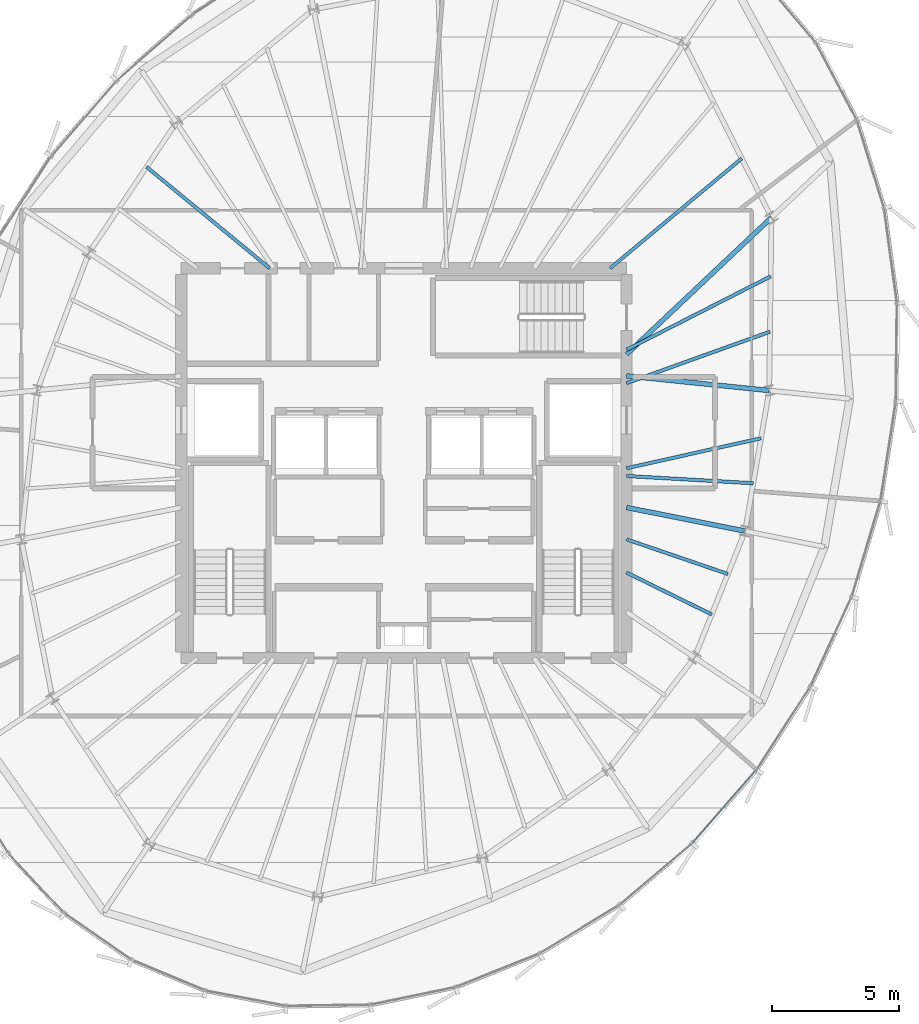
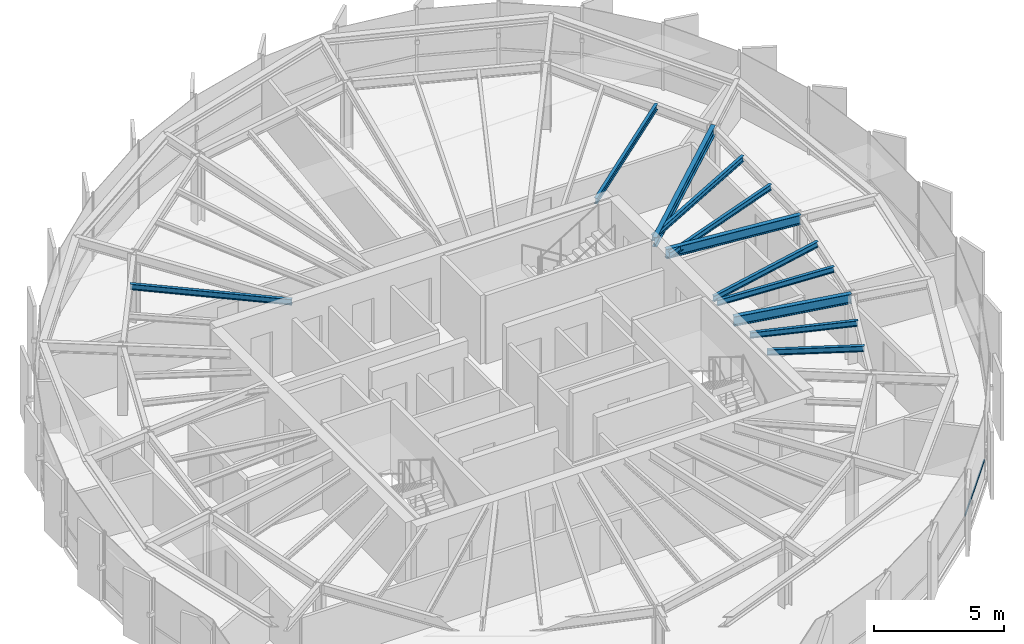
# One storey, part 14 of 32: 11 beams, 1 member, 1 element without a shape of its own.
"""IFC4 building model written with IfcOpenShell, lengths in metres."""

from ifc_helpers import new_model, si_unit, direction, frame, origin, origin_2d, place, context, subcontext, project, spatial, hollow_rectangle, i_section, extrude, source, transform, mapped, material, layer, layer_set, material_profile, profile_set, type_object, element, aggregate, save


model = new_model("IFC4")

# Units and contexts
model_context = context("Model", 3, precision=1e-05, world=origin(), true_north=direction((0.0, 1.0)))
body_context = subcontext(model_context, "Body", "Model", "MODEL_VIEW")
ifc_project = project(units=[si_unit("LENGTHUNIT", "METRE"), si_unit("AREAUNIT", "SQUARE_METRE"), si_unit("VOLUMEUNIT", "CUBIC_METRE"), si_unit("PLANEANGLEUNIT", "RADIAN"), si_unit("MASSUNIT", "GRAM", prefix="KILO"), si_unit("THERMODYNAMICTEMPERATUREUNIT", "KELVIN")], contexts=[model_context])

# Site, building, storey
site_placement = place(None, origin())
site = spatial("IfcSite", under=ifc_project, at=site_placement, CompositionType="ELEMENT")
building_placement = place(site_placement, origin())
building = spatial("IfcBuilding", under=site, at=building_placement, Name="Kethvar Cultural Tower", CompositionType="ELEMENT")
storey_placement = place(building_placement, frame((0.0, 0.0, 280.14990234375)))
storey = spatial("IfcBuildingStorey", under=building, at=storey_placement, Name="L74", CompositionType="ELEMENT", Elevation=280.14990234375)

# Beams
ifc_material_1 = material(Name="Steel S355J2", Category="steel")
ifc_material_profile_1 = material_profile(ifc_material_1, i_section(OverallWidth=0.18994140625, OverallDepth=0.449951171875, WebThickness=0.009521484375, FlangeThickness=0.0146484375, FilletRadius=0.02099609375, at=origin_2d()), Name="Steel S355J2 — IPE450")
ifc_profile_set_1 = profile_set([ifc_material_profile_1], Name="Steel S355J2 — IPE450")
beam_type_1 = type_object("IfcBeamType", Name="BM-IPE450", PredefinedType="BEAM", material=ifc_profile_set_1)
shared_shape_1 = source(origin(), body_context, "Body", "SweptSolid", [
    extrude(i_section(OverallWidth=0.18994140625, OverallDepth=0.449951171875, WebThickness=0.009521484375, FlangeThickness=0.0146484375, FilletRadius=0.02099609375, at=origin_2d()), origin(), (0.0, 0.0, 1.0), 5.66650390625),
])
beam_1_placement = place(storey_placement, frame((55.60009765625, 31.25, 2.983154296875), z_axis=(0.994777513459, -0.102067128476, 0.0), x_axis=(0.102067128476, 0.994777513459, 0.0)))
element("IfcBeam", 1, at=beam_1_placement, inside=storey, type_object=beam_type_1, Name="L74 Primary Radial Beam RB-01", PredefinedType="BEAM", context=body_context, shape_type="MappedRepresentation", body=[
    mapped(shared_shape_1, transform((0.0, 0.0, 0.0), scale=1.0)),
])
shared_shape_2 = source(origin(), body_context, "Body", "SweptSolid", [
    extrude(i_section(OverallWidth=0.18994140625, OverallDepth=0.449951171875, WebThickness=0.009521484375, FlangeThickness=0.0146484375, FilletRadius=0.02099609375, at=origin_2d()), origin(), (0.0, 0.0, 1.0), 7.874267578125),
])
beam_2_placement = place(storey_placement, frame((55.60009765625, 32.10009765625, 2.983154296875), z_axis=(0.727123202456, 0.686506990823, 0.0), x_axis=(-0.686506990823, 0.727123202456, 0.0)))
element("IfcBeam", 2, at=beam_2_placement, inside=storey, type_object=beam_type_1, Name="L74 Primary Radial Beam RB-02", PredefinedType="BEAM", context=body_context, shape_type="MappedRepresentation", body=[
    mapped(shared_shape_2, transform((0.0, 0.0, 0.0), scale=1.0)),
])
shared_shape_3 = source(origin(), body_context, "Body", "SweptSolid", [
    extrude(i_section(OverallWidth=0.18994140625, OverallDepth=0.449951171875, WebThickness=0.009521484375, FlangeThickness=0.0146484375, FilletRadius=0.02099609375, at=origin_2d()), origin(), (0.0, 0.0, 1.0), 4.775390625),
])
beam_3_placement = place(storey_placement, frame((55.60009765625, 26.049560546875, 2.983154296875), z_axis=(0.980784643133, -0.195093525761, 0.0), x_axis=(0.195093525761, 0.980784643133, 0.0)))
element("IfcBeam", 3, at=beam_3_placement, inside=storey, type_object=beam_type_1, Name="L74 Primary Radial Beam RB-16", PredefinedType="BEAM", context=body_context, shape_type="MappedRepresentation", body=[
    mapped(shared_shape_3, transform((0.0, 0.0, 0.0), scale=1.0)),
])
ifc_material_profile_2 = material_profile(ifc_material_1, i_section(OverallWidth=0.135009765625, OverallDepth=0.27001953125, WebThickness=0.006591796875, FlangeThickness=0.01025390625, FilletRadius=0.014892578125, at=origin_2d()), Name="Steel S355J2 — IPE270")
ifc_profile_set_2 = profile_set([ifc_material_profile_2], Name="Steel S355J2 — IPE270")
beam_type_2 = type_object("IfcBeamType", Name="BM-J270", PredefinedType="JOIST", material=ifc_profile_set_2)
shared_shape_4 = source(origin(), body_context, "Body", "SweptSolid", [
    extrude(i_section(OverallWidth=0.135009765625, OverallDepth=0.27001953125, WebThickness=0.006591796875, FlangeThickness=0.01025390625, FilletRadius=0.014892578125, at=origin_2d()), origin(), (0.0, 0.0, 1.0), 6.021240234375),
])
beam_4_placement = place(storey_placement, frame((55.60009765625, 30.960205078125, 3.072998046875), z_axis=(0.94114970072, 0.337990001086, 0.0), x_axis=(-0.337990001086, 0.94114970072, 0.0)))
element("IfcBeam", 4, at=beam_4_placement, inside=storey, type_object=beam_type_2, Name="L74 Composite Floor Joist J-01A", PredefinedType="JOIST", context=body_context, shape_type="MappedRepresentation", body=[
    mapped(shared_shape_4, transform((0.0, 0.0, 0.0), scale=1.0)),
])
shared_shape_5 = source(origin(), body_context, "Body", "SweptSolid", [
    extrude(i_section(OverallWidth=0.135009765625, OverallDepth=0.27001953125, WebThickness=0.006591796875, FlangeThickness=0.01025390625, FilletRadius=0.014892578125, at=origin_2d()), origin(), (0.0, 0.0, 1.0), 6.3916015625),
])
beam_5_placement = place(storey_placement, frame((55.60009765625, 32.281494140625, 3.072998046875), z_axis=(0.891094874615, 0.453817060538, 0.0), x_axis=(-0.453817060538, 0.891094874615, 0.0)))
element("IfcBeam", 5, at=beam_5_placement, inside=storey, type_object=beam_type_2, Name="L74 Composite Floor Joist J-01B", PredefinedType="JOIST", context=body_context, shape_type="MappedRepresentation", body=[
    mapped(shared_shape_5, transform((0.0, 0.0, 0.0), scale=1.0)),
])
shared_shape_6 = source(origin(), body_context, "Body", "SweptSolid", [
    extrude(i_section(OverallWidth=0.135009765625, OverallDepth=0.27001953125, WebThickness=0.006591796875, FlangeThickness=0.01025390625, FilletRadius=0.014892578125, at=origin_2d()), origin(), (0.0, 0.0, 1.0), 6.776123046875),
])
beam_6_placement = place(storey_placement, frame((54.949951171875, 35.5, 3.072998046875), z_axis=(0.767801747857, 0.6406875026, 0.0), x_axis=(-0.6406875026, 0.767801747857, 0.0)))
element("IfcBeam", 6, at=beam_6_placement, inside=storey, type_object=beam_type_2, Name="L74 Composite Floor Joist J-02A", PredefinedType="JOIST", context=body_context, shape_type="MappedRepresentation", body=[
    mapped(shared_shape_6, transform((0.0, 0.0, 0.0), scale=1.0)),
])
shared_shape_7 = source(origin(), body_context, "Body", "SweptSolid", [
    extrude(i_section(OverallWidth=0.135009765625, OverallDepth=0.27001953125, WebThickness=0.006591796875, FlangeThickness=0.01025390625, FilletRadius=0.014892578125, at=origin_2d()), origin(), (0.0, 0.0, 1.0), 6.302978515625),
])
beam_7_placement = place(storey_placement, frame((41.5, 35.5, 3.072998046875), z_axis=(-0.771828477148, 0.635830796567, 0.0), x_axis=(-0.635830796567, -0.771828477148, 0.0)))
element("IfcBeam", 7, at=beam_7_placement, inside=storey, type_object=beam_type_2, Name="L74 Composite Floor Joist J-06A", PredefinedType="JOIST", context=body_context, shape_type="MappedRepresentation", body=[
    mapped(shared_shape_7, transform((0.0, 0.0, 0.0), scale=1.0)),
])
shared_shape_8 = source(origin(), body_context, "Body", "SweptSolid", [
    extrude(i_section(OverallWidth=0.135009765625, OverallDepth=0.27001953125, WebThickness=0.006591796875, FlangeThickness=0.01025390625, FilletRadius=0.014892578125, at=origin_2d()), origin(), (0.0, 0.0, 1.0), 3.75),
])
beam_8_placement = place(storey_placement, frame((55.60009765625, 23.476318359375, 3.072998046875), z_axis=(0.8975046019, -0.441005090184, 0.0), x_axis=(0.441005090184, 0.8975046019, 0.0)))
element("IfcBeam", 8, at=beam_8_placement, inside=storey, type_object=beam_type_2, Name="L74 Composite Floor Joist J-15A", PredefinedType="JOIST", context=body_context, shape_type="MappedRepresentation", body=[
    mapped(shared_shape_8, transform((0.0, 0.0, 0.0), scale=1.0)),
])
shared_shape_9 = source(origin(), body_context, "Body", "SweptSolid", [
    extrude(i_section(OverallWidth=0.135009765625, OverallDepth=0.27001953125, WebThickness=0.006591796875, FlangeThickness=0.01025390625, FilletRadius=0.014892578125, at=origin_2d()), origin(), (0.0, 0.0, 1.0), 4.232421875),
])
beam_9_placement = place(storey_placement, frame((55.60009765625, 24.7900390625, 3.072998046875), z_axis=(0.946173747357, -0.323659141402, 0.0), x_axis=(0.323659141402, 0.946173747357, 0.0)))
element("IfcBeam", 9, at=beam_9_placement, inside=storey, type_object=beam_type_2, Name="L74 Composite Floor Joist J-15B", PredefinedType="JOIST", context=body_context, shape_type="MappedRepresentation", body=[
    mapped(shared_shape_9, transform((0.0, 0.0, 0.0), scale=1.0)),
])
shared_shape_10 = source(origin(), body_context, "Body", "SweptSolid", [
    extrude(i_section(OverallWidth=0.135009765625, OverallDepth=0.27001953125, WebThickness=0.006591796875, FlangeThickness=0.01025390625, FilletRadius=0.014892578125, at=origin_2d()), origin(), (0.0, 0.0, 1.0), 5.01611328125),
])
beam_10_placement = place(storey_placement, frame((55.60009765625, 27.294189453125, 3.072998046875), z_axis=(0.998352190078, -0.057383835418, 0.0), x_axis=(0.057383835418, 0.998352190078, 0.0)))
element("IfcBeam", 10, at=beam_10_placement, inside=storey, type_object=beam_type_2, Name="L74 Composite Floor Joist J-16A", PredefinedType="JOIST", context=body_context, shape_type="MappedRepresentation", body=[
    mapped(shared_shape_10, transform((0.0, 0.0, 0.0), scale=1.0)),
])
shared_shape_11 = source(origin(), body_context, "Body", "SweptSolid", [
    extrude(i_section(OverallWidth=0.135009765625, OverallDepth=0.27001953125, WebThickness=0.006591796875, FlangeThickness=0.01025390625, FilletRadius=0.014892578125, at=origin_2d()), origin(), (0.0, 0.0, 1.0), 5.44287109375),
])
beam_11_placement = place(storey_placement, frame((55.60009765625, 27.60009765625, 3.072998046875), z_axis=(0.976080346759, 0.217410111702, 0.0), x_axis=(-0.217410111702, 0.976080346759, 0.0)))
element("IfcBeam", 11, at=beam_11_placement, inside=storey, type_object=beam_type_2, Name="L74 Composite Floor Joist J-16B", PredefinedType="JOIST", context=body_context, shape_type="MappedRepresentation", body=[
    mapped(shared_shape_11, transform((0.0, 0.0, 0.0), scale=1.0)),
])

# Curtain wall, member
ifc_material_2 = material(Name="Aluminium 6063-T6", Category="aluminium")
ifc_layer = layer(ifc_material_2, 0.179931640625, Name="Aluminium 6063-T6", Category="aluminium")
ifc_layer_set = layer_set([ifc_layer], Name="Aluminium 6063-T6 (180 mm)")
curtain_wall_type = type_object("IfcCurtainWallType", Name="CW-SYS-05-Z56", PredefinedType="NOTDEFINED", material=ifc_layer_set)
curtain_wall_placement = place(storey_placement, origin())
curtain_wall = element("IfcCurtainWall", 12, at=curtain_wall_placement, inside=storey, type_object=curtain_wall_type, Name="L74 Curtain Wall Run 05", PredefinedType="NOTDEFINED")
ifc_material_profile_3 = material_profile(ifc_material_2, hollow_rectangle(XDim=0.050048828125, YDim=0.10009765625, WallThickness=0.00390625, at=origin_2d()), Name="Aluminium 6063-T6 — RHS100x50x4")
ifc_profile_set_3 = profile_set([ifc_material_profile_3], Name="Aluminium 6063-T6 — RHS100x50x4")
member_type = type_object("IfcMemberType", Name="CW-SYS-05-Z56-TRN", PredefinedType="USERDEFINED", material=ifc_profile_set_3)
shared_shape_12 = source(origin(), body_context, "Body", "SweptSolid", [
    extrude(hollow_rectangle(XDim=0.050048828125, YDim=0.10009765625, WallThickness=0.00390625, at=origin_2d()), origin(), (0.0, 0.0, 1.0), 3.796630859375),
])
member_placement = place(storey_placement, frame((58.22314453125, 12.813720703125, 0.9501953125), z_axis=(0.658536474709, 0.75254881003, 0.0), x_axis=(-0.75254881003, 0.658536474709, 0.0)))
member = element("IfcMember", 13, at=member_placement, type_object=member_type, Name="CW-L74-R05 Transom 2", ObjectType="TRANSOM", PredefinedType="USERDEFINED", context=body_context, shape_type="MappedRepresentation", body=[
    mapped(shared_shape_12, transform((0.0, 0.0, 0.0), scale=1.0)),
])
aggregate(curtain_wall, [member])

save(model, "model.ifc")
